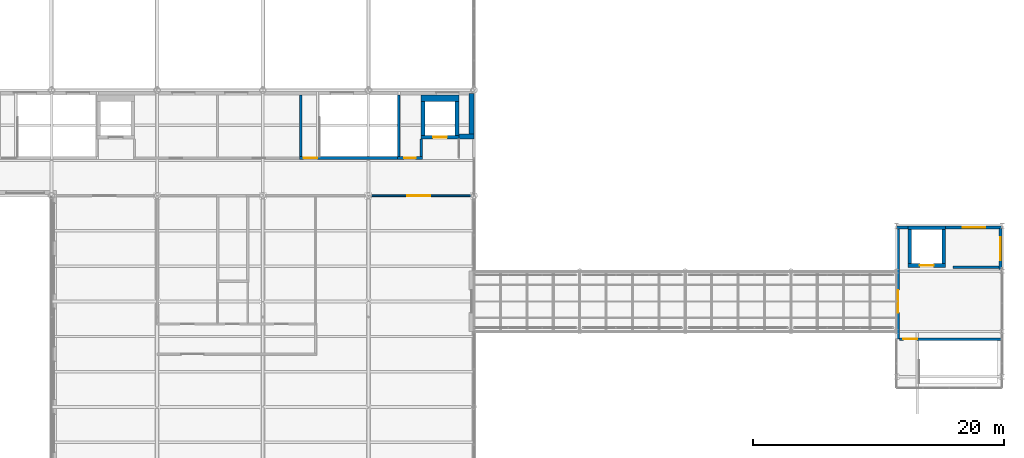
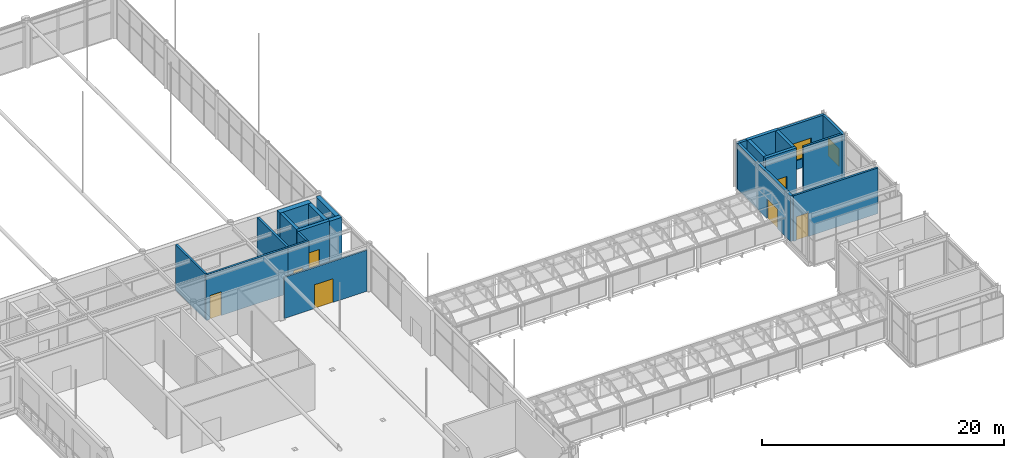
# One storey, part 153 of 167: 22 walls, 7 doors, 2 windows, 9 openings.
"""IFC4 building model written with IfcOpenShell, lengths in metres."""

from ifc_helpers import new_model, si_unit, direction, frame, frame_2d, origin, place, context, subcontext, project, spatial, rectangle, extrude, material, layer, layer_set, type_object, element, fill, save


model = new_model("IFC4")

# Units and contexts
model_context = context("Model", 3, precision=1e-05, world=origin(), true_north=direction((0.0, 1.0)))
body_context = subcontext(model_context, "Body", "Model", "MODEL_VIEW")
ifc_project = project(units=[si_unit("LENGTHUNIT", "METRE"), si_unit("AREAUNIT", "SQUARE_METRE"), si_unit("VOLUMEUNIT", "CUBIC_METRE"), si_unit("PLANEANGLEUNIT", "RADIAN"), si_unit("MASSUNIT", "GRAM", prefix="KILO")], contexts=[model_context])

# Site, building, storey
site_placement = place(None, origin())
site = spatial("IfcSite", under=ifc_project, at=site_placement, CompositionType="ELEMENT")
building_placement = place(site_placement, origin())
building = spatial("IfcBuilding", under=site, at=building_placement, Name="Catenary Quay Ferry Terminal", CompositionType="ELEMENT")
storey_placement = place(building_placement, frame((0.0, 0.0, 6.0)))
storey = spatial("IfcBuildingStorey", under=building, at=storey_placement, Name="L01", CompositionType="ELEMENT", Elevation=6.0)

# Wall, opening, door
ifc_material_1 = material(Name="Masonry and insulation", Category="masonry")
ifc_layer_1 = layer(ifc_material_1, 0.25)
ifc_layer_set_1 = layer_set([ifc_layer_1], Name="EW12")
wall_type_1 = type_object("IfcWallType", Name="EW12", PredefinedType="SOLIDWALL", material=ifc_layer_set_1)
wall_1_placement = place(storey_placement, frame((126.125, 89.39990234375, 0.0), z_axis=(0.0, 0.0, 1.0), x_axis=(0.0, 1.0, 0.0)))
wall_1 = element("IfcWall", 1, at=wall_1_placement, inside=storey, type_object=wall_type_1, Name="P28 wall WL183", PredefinedType="SOLIDWALL", context=body_context, shape_type="SweptSolid", body=[
    extrude(rectangle(XDim=8.80517578125, YDim=0.25, at=frame_2d((4.402587890625, 0.0))), origin(), (0.0, 0.0, 1.0), 4.60009765625),
])
opening_1_placement = place(wall_1_placement, frame((2.10009765625, 0.0, 0.0)))
opening_1 = element("IfcOpeningElement", 2, at=opening_1_placement, cuts=wall_1, Name="Opening D123", PredefinedType="OPENING", context=body_context, shape_type="SweptSolid", body=[
    extrude(rectangle(XDim=1.800048828125, YDim=2.0, at=frame_2d((0.89990234375, 1.0))), frame((0.0, 0.135009765625, 0.0), z_axis=(0.0, -1.0, 0.0), x_axis=(1.0, 0.0, 0.0)), (0.0, 0.0, 1.0), 0.27001953125),
])
ifc_material_2 = material(Name="Aluminium and glass", Category="aluminium")
door_type_1 = type_object("IfcDoorType", Name="DI11", OperationType="DOUBLE_DOOR_SINGLE_SWING", PredefinedType="DOOR", material=ifc_material_2)
door_1_placement = place(opening_1_placement, frame((1.800048828125, 0.0, 0.0), z_axis=(0.0, 0.0, 1.0), x_axis=(-1.0, 0.0, 0.0)))
door_1 = element("IfcDoor", 3, at=door_1_placement, inside=storey, type_object=door_type_1, Name="Boarding Bridge 2 to Berth 2 Boarding Landing", OperationType="DOUBLE_DOOR_SINGLE_SWING", OverallHeight=2.0, OverallWidth=1.800048828125, PredefinedType="DOOR", context=body_context, shape_type="SweptSolid", body=[
    extrude(rectangle(XDim=1.800048828125, YDim=2.0, at=frame_2d((0.89990234375, 1.0))), frame((0.0, 0.02490234375, 0.0), z_axis=(0.0, -1.0, 0.0), x_axis=(1.0, 0.0, 0.0)), (0.0, 0.0, 1.0), 0.050048828125),
])
fill(opening_1, door_1)

# Walls
ifc_material_3 = material(Name="Masonry and insulation", Category="masonry")
ifc_layer_2 = layer(ifc_material_3, 0.39990234375)
ifc_layer_set_2 = layer_set([ifc_layer_2], Name="EW2")
wall_type_2 = type_object("IfcWallType", Name="EW2", PredefinedType="SOLIDWALL", material=ifc_layer_set_2)
wall_2_placement = place(storey_placement, frame((91.199951171875, 105.5, 0.0), z_axis=(0.0, 0.0, 1.0), x_axis=(1.0, 0.0, 0.0)))
element("IfcWall", 4, at=wall_2_placement, inside=storey, type_object=wall_type_2, Name="P22 wall WL177", PredefinedType="SOLIDWALL", context=body_context, shape_type="SweptSolid", body=[
    extrude(rectangle(XDim=1.199951171875, YDim=0.39990234375, at=frame_2d((0.60009765625, 0.0))), origin(), (0.0, 0.0, 1.0), 4.60009765625),
])
wall_3_placement = place(storey_placement, frame((92.199951171875, 105.699951171875, 0.0), z_axis=(0.0, 0.0, 1.0), x_axis=(0.0, 1.0, 0.0)))
element("IfcWall", 5, at=wall_3_placement, inside=storey, type_object=wall_type_2, Name="P29 wall WL184", PredefinedType="SOLIDWALL", context=body_context, shape_type="SweptSolid", body=[
    extrude(rectangle(XDim=3.24609375, YDim=0.39990234375, at=frame_2d((1.623046875, 0.0))), origin(), (0.0, 0.0, 1.0), 4.60009765625),
])
ifc_material_4 = material(Name="Masonry and insulation", Category="masonry")
ifc_layer_3 = layer(ifc_material_4, 0.25)
ifc_layer_set_3 = layer_set([ifc_layer_3], Name="EW4")
wall_type_3 = type_object("IfcWallType", Name="EW4", PredefinedType="SOLIDWALL", material=ifc_layer_set_3)
wall_4_placement = place(storey_placement, frame((126.0, 98.27490234375, 0.0), z_axis=(0.0, 0.0, 1.0), x_axis=(1.0, 0.0, 0.0)))
element("IfcWall", 6, at=wall_4_placement, inside=storey, type_object=wall_type_3, Name="P20 wall WL175", PredefinedType="SOLIDWALL", context=body_context, shape_type="SweptSolid", body=[
    extrude(rectangle(XDim=0.89990234375, YDim=0.25, at=frame_2d((0.449951171875, 0.0))), origin(), (0.0, 0.0, 1.0), 4.60009765625),
])

# Wall, opening, window
wall_5_placement = place(storey_placement, frame((129.89990234375, 98.27490234375, 0.0), z_axis=(0.0, 0.0, 1.0), x_axis=(1.0, 0.0, 0.0)))
wall_5 = element("IfcWall", 7, at=wall_5_placement, inside=storey, type_object=wall_type_3, Name="P21 wall WL176", PredefinedType="SOLIDWALL", context=body_context, shape_type="SweptSolid", body=[
    extrude(rectangle(XDim=4.5, YDim=0.25, at=frame_2d((2.25, 0.0))), origin(), (0.0, 0.0, 1.0), 4.60009765625),
])
opening_2_placement = place(wall_5_placement, frame((1.35009765625, 0.0, 0.89990234375)))
opening_2 = element("IfcOpeningElement", 8, at=opening_2_placement, cuts=wall_5, Name="Opening W10", PredefinedType="OPENING", context=body_context, shape_type="SweptSolid", body=[
    extrude(rectangle(XDim=1.800048828125, YDim=1.800048828125, at=frame_2d((0.89990234375, 0.89990234375))), frame((0.0, 0.135009765625, 0.0), z_axis=(0.0, -1.0, 0.0), x_axis=(1.0, 0.0, 0.0)), (0.0, 0.0, 1.0), 0.27001953125),
])
ifc_material_5 = material(Name="Aluminium and glass", Category="aluminium")
window_type = type_object("IfcWindowType", Name="WH1", PartitioningType="SINGLE_PANEL", PredefinedType="WINDOW", material=ifc_material_5)
window_1_placement = place(opening_2_placement, origin())
window_1 = element("IfcWindow", 9, at=window_1_placement, inside=storey, type_object=window_type, Name="P21 window W10", OverallHeight=1.800048828125, OverallWidth=1.800048828125, PartitioningType="SINGLE_PANEL", PredefinedType="WINDOW", context=body_context, shape_type="SweptSolid", body=[
    extrude(rectangle(XDim=1.800048828125, YDim=1.800048828125, at=frame_2d((0.89990234375, 0.89990234375))), frame((0.0, 0.030029296875, 0.0), z_axis=(0.0, -1.0, 0.0), x_axis=(1.0, 0.0, 0.0)), (0.0, 0.0, 1.0), 0.06005859375),
])
fill(opening_2, window_1)

wall_6_placement = place(storey_placement, frame((134.27490234375, 94.949951171875, 0.0), z_axis=(0.0, 0.0, 1.0), x_axis=(0.0, 1.0, 0.0)))
wall_6 = element("IfcWall", 10, at=wall_6_placement, inside=storey, type_object=wall_type_3, Name="P27 wall WL182", PredefinedType="SOLIDWALL", context=body_context, shape_type="SweptSolid", body=[
    extrude(rectangle(XDim=3.255126953125, YDim=0.25, at=frame_2d((1.62744140625, 0.0))), origin(), (0.0, 0.0, 1.0), 4.60009765625),
])
opening_3_placement = place(wall_6_placement, frame((0.7275390625, 0.0, 0.89990234375)))
opening_3 = element("IfcOpeningElement", 11, at=opening_3_placement, cuts=wall_6, Name="Opening W31", PredefinedType="OPENING", context=body_context, shape_type="SweptSolid", body=[
    extrude(rectangle(XDim=1.800048828125, YDim=1.800048828125, at=frame_2d((0.89990234375, 0.89990234375))), frame((0.0, 0.135009765625, 0.0), z_axis=(0.0, -1.0, 0.0), x_axis=(1.0, 0.0, 0.0)), (0.0, 0.0, 1.0), 0.27001953125),
])
window_2_placement = place(opening_3_placement, origin())
window_2 = element("IfcWindow", 12, at=window_2_placement, inside=storey, type_object=window_type, Name="P27 window W31", OverallHeight=1.800048828125, OverallWidth=1.800048828125, PartitioningType="SINGLE_PANEL", PredefinedType="WINDOW", context=body_context, shape_type="SweptSolid", body=[
    extrude(rectangle(XDim=1.800048828125, YDim=1.800048828125, at=frame_2d((0.89990234375, 0.89990234375))), frame((0.0, 0.030029296875, 0.0), z_axis=(0.0, -1.0, 0.0), x_axis=(1.0, 0.0, 0.0)), (0.0, 0.0, 1.0), 0.06005859375),
])
fill(opening_3, window_2)

# Wall, opening, door
ifc_material_6 = material(Name="Plasterboard on steel studs", Category="steel")
ifc_layer_4 = layer(ifc_material_6, 0.14990234375)
ifc_layer_set_4 = layer_set([ifc_layer_4], Name="IP3")
wall_type_4 = type_object("IfcWallType", Name="IP3", PredefinedType="PARTITIONING", material=ifc_layer_set_4)
wall_7_placement = place(storey_placement, frame((84.25390625, 100.800048828125, 0.0), z_axis=(0.0, 0.0, 1.0), x_axis=(1.0, 0.0, 0.0)))
wall_7 = element("IfcWall", 13, at=wall_7_placement, inside=storey, type_object=wall_type_4, Name="Partition L01 17", PredefinedType="PARTITIONING", context=body_context, shape_type="SweptSolid", body=[
    extrude(rectangle(XDim=7.89208984375, YDim=0.14990234375, at=frame_2d((3.946044921875, 0.0))), origin(), (0.0, 0.0, 1.0), 4.146240234375),
])
opening_4_placement = place(wall_7_placement, frame((2.845947265625, 0.0, 0.0)))
opening_4 = element("IfcOpeningElement", 14, at=opening_4_placement, cuts=wall_7, Name="Opening D117", PredefinedType="OPENING", context=body_context, shape_type="SweptSolid", body=[
    extrude(rectangle(XDim=1.800048828125, YDim=2.39990234375, at=frame_2d((0.89990234375, 1.199951171875))), frame((0.0, 0.0849609375, 0.0), z_axis=(0.0, -1.0, 0.0), x_axis=(1.0, 0.0, 0.0)), (0.0, 0.0, 1.0), 0.169921875),
])
ifc_material_7 = material(Name="Aluminium and glass", Category="aluminium")
door_type_2 = type_object("IfcDoorType", Name="DI6", OperationType="DOUBLE_DOOR_SINGLE_SWING", PredefinedType="DOOR", material=ifc_material_7)
door_2_placement = place(opening_4_placement, origin())
door_2 = element("IfcDoor", 15, at=door_2_placement, inside=storey, type_object=door_type_2, Name="Operations Corridor to Boarding Concourse", OperationType="DOUBLE_DOOR_SINGLE_SWING", OverallHeight=2.39990234375, OverallWidth=1.800048828125, PredefinedType="DOOR", context=body_context, shape_type="SweptSolid", body=[
    extrude(rectangle(XDim=1.800048828125, YDim=2.39990234375, at=frame_2d((0.89990234375, 1.199951171875))), frame((0.0, 0.02490234375, 0.0), z_axis=(0.0, -1.0, 0.0), x_axis=(1.0, 0.0, 0.0)), (0.0, 0.0, 1.0), 0.050048828125),
])
fill(opening_4, door_2)

ifc_material_8 = material(Name="Blockwork and plaster", Category="masonry")
ifc_layer_5 = layer(ifc_material_8, 0.199951171875)
ifc_layer_set_5 = layer_set([ifc_layer_5], Name="IP4")
wall_type_5 = type_object("IfcWallType", Name="IP4", PredefinedType="PARTITIONING", material=ifc_layer_set_5)
wall_8_placement = place(storey_placement, frame((126.25, 89.39990234375, 0.0), z_axis=(0.0, 0.0, 1.0), x_axis=(1.0, 0.0, 0.0)))
wall_8 = element("IfcWall", 16, at=wall_8_placement, inside=storey, type_object=wall_type_5, Name="Partition L01 8", PredefinedType="PARTITIONING", context=body_context, shape_type="SweptSolid", body=[
    extrude(rectangle(XDim=8.074951171875, YDim=0.199951171875, at=frame_2d((4.03759765625, 0.0))), origin(), (0.0, 0.0, 1.0), 4.60009765625),
])
opening_5_placement = place(wall_8_placement, frame((0.300048828125, 0.0, 0.0)))
opening_5 = element("IfcOpeningElement", 17, at=opening_5_placement, cuts=wall_8, Name="Opening D124", PredefinedType="OPENING", context=body_context, shape_type="SweptSolid", body=[
    extrude(rectangle(XDim=1.10009765625, YDim=2.39990234375, at=frame_2d((0.550048828125, 1.199951171875))), frame((0.0, 0.10986328125, 0.0), z_axis=(0.0, -1.0, 0.0), x_axis=(1.0, 0.0, 0.0)), (0.0, 0.0, 1.0), 0.219970703125),
])
ifc_material_9 = material(Name="Steel", Category="steel")
door_type_3 = type_object("IfcDoorType", Name="DI4", OperationType="SINGLE_SWING_LEFT", PredefinedType="DOOR", material=ifc_material_9)
door_3_placement = place(opening_5_placement, frame((1.10009765625, 0.0, 0.0), z_axis=(0.0, 0.0, 1.0), x_axis=(-1.0, 0.0, 0.0)))
door_3 = element("IfcDoor", 18, at=door_3_placement, inside=storey, type_object=door_type_3, Name="Stair HB2 to Berth 2 Boarding Landing", OperationType="SINGLE_SWING_RIGHT", OverallHeight=2.39990234375, OverallWidth=1.10009765625, PredefinedType="DOOR", context=body_context, shape_type="SweptSolid", body=[
    extrude(rectangle(XDim=1.10009765625, YDim=2.39990234375, at=frame_2d((0.550048828125, 1.199951171875))), frame((0.0, 0.02490234375, 0.0), z_axis=(0.0, -1.0, 0.0), x_axis=(1.0, 0.0, 0.0)), (0.0, 0.0, 1.0), 0.050048828125),
])
fill(opening_5, door_3)

wall_9_placement = place(storey_placement, frame((78.5, 103.800048828125, 0.0), z_axis=(0.0, 0.0, 1.0), x_axis=(1.0, 0.0, 0.0)))
wall_9 = element("IfcWall", 19, at=wall_9_placement, inside=storey, type_object=wall_type_5, Name="Partition L01 23", PredefinedType="PARTITIONING", context=body_context, shape_type="SweptSolid", body=[
    extrude(rectangle(XDim=8.0, YDim=0.199951171875, at=frame_2d((4.0, 0.0))), origin(), (0.0, 0.0, 1.0), 4.60009765625),
])
opening_6_placement = place(wall_9_placement, frame((0.35009765625, 0.0, 0.0)))
opening_6 = element("IfcOpeningElement", 20, at=opening_6_placement, cuts=wall_9, Name="Opening D110", PredefinedType="OPENING", context=body_context, shape_type="SweptSolid", body=[
    extrude(rectangle(XDim=1.10009765625, YDim=2.39990234375, at=frame_2d((0.550048828125, 1.199951171875))), frame((0.0, 0.10986328125, 0.0), z_axis=(0.0, -1.0, 0.0), x_axis=(1.0, 0.0, 0.0)), (0.0, 0.0, 1.0), 0.219970703125),
])
door_4_placement = place(opening_6_placement, origin())
door_4 = element("IfcDoor", 21, at=door_4_placement, inside=storey, type_object=door_type_3, Name="Stair TS3 to Operations Corridor", OperationType="SINGLE_SWING_LEFT", OverallHeight=2.39990234375, OverallWidth=1.10009765625, PredefinedType="DOOR", context=body_context, shape_type="SweptSolid", body=[
    extrude(rectangle(XDim=1.10009765625, YDim=2.39990234375, at=frame_2d((0.550048828125, 1.199951171875))), frame((0.0, 0.02490234375, 0.0), z_axis=(0.0, -1.0, 0.0), x_axis=(1.0, 0.0, 0.0)), (0.0, 0.0, 1.0), 0.050048828125),
])
fill(opening_6, door_4)

# Walls
for number, where, z_axis, x_axis, name in (
    (22, (78.60009765625, 103.89990234375, 0.0), (0.0, 0.0, 1.0), (0.0, 1.0, 0.0), "Partition L01 90"),
    (23, (86.39990234375, 103.89990234375, 0.0), (0.0, 0.0, 1.0), (0.0, 1.0, 0.0), "Partition L01 94"),
):
    element("IfcWall", number, at=place(storey_placement, frame(where, z_axis=z_axis, x_axis=x_axis)), inside=storey, type_object=wall_type_5, Name=name, PredefinedType="PARTITIONING", context=body_context, shape_type="SweptSolid", body=[
        extrude(rectangle(XDim=4.900146484375, YDim=0.199951171875, at=frame_2d((2.4501953125, 0.0))), origin(), (0.0, 0.0, 1.0), 4.60009765625),
    ])
ifc_material_10 = material(Name="Blockwork and plaster", Category="masonry")
ifc_layer_6 = layer(ifc_material_10, 0.199951171875)
ifc_layer_set_6 = layer_set([ifc_layer_6], Name="IP6")
wall_type_6 = type_object("IfcWallType", Name="IP6", PredefinedType="PARTITIONING", material=ifc_layer_set_6)
wall_10_placement = place(storey_placement, frame((130.5, 95.10009765625, 0.0), z_axis=(0.0, 0.0, 1.0), x_axis=(1.0, 0.0, 0.0)))
element("IfcWall", 24, at=wall_10_placement, inside=storey, type_object=wall_type_6, Name="Partition L01 11", PredefinedType="PARTITIONING", context=body_context, shape_type="SweptSolid", body=[
    extrude(rectangle(XDim=3.64990234375, YDim=0.199951171875, at=frame_2d((1.824951171875, 0.0))), origin(), (0.0, 0.0, 1.0), 4.60009765625),
])

# Wall, opening, door
wall_11_placement = place(storey_placement, frame((86.300048828125, 103.800048828125, 0.0), z_axis=(0.0, 0.0, 1.0), x_axis=(1.0, 0.0, 0.0)))
wall_11 = element("IfcWall", 25, at=wall_11_placement, inside=storey, type_object=wall_type_6, Name="Partition L01 24", PredefinedType="PARTITIONING", context=body_context, shape_type="SweptSolid", body=[
    extrude(rectangle(XDim=2.0, YDim=0.199951171875, at=frame_2d((1.0, 0.0))), origin(), (0.0, 0.0, 1.0), 4.60009765625),
])
opening_7_placement = place(wall_11_placement, frame((0.550048828125, 0.0, 0.0)))
opening_7 = element("IfcOpeningElement", 26, at=opening_7_placement, cuts=wall_11, Name="Opening D111", PredefinedType="OPENING", context=body_context, shape_type="SweptSolid", body=[
    extrude(rectangle(XDim=0.89990234375, YDim=2.10009765625, at=frame_2d((0.449951171875, 1.050048828125))), frame((0.0, 0.10986328125, 0.0), z_axis=(0.0, -1.0, 0.0), x_axis=(1.0, 0.0, 0.0)), (0.0, 0.0, 1.0), 0.219970703125),
])
ifc_material_11 = material(Name="Steel", Category="steel")
door_type_4 = type_object("IfcDoorType", Name="DI9", OperationType="SINGLE_SWING_LEFT", PredefinedType="DOOR", material=ifc_material_11)
door_5_placement = place(opening_7_placement, origin())
door_5 = element("IfcDoor", 27, at=door_5_placement, inside=storey, type_object=door_type_4, Name="Terminal Electrical Room to Operations Corridor", OperationType="SINGLE_SWING_LEFT", OverallHeight=2.10009765625, OverallWidth=0.89990234375, PredefinedType="DOOR", context=body_context, shape_type="SweptSolid", body=[
    extrude(rectangle(XDim=0.89990234375, YDim=2.10009765625, at=frame_2d((0.449951171875, 1.050048828125))), frame((0.0, 0.02490234375, 0.0), z_axis=(0.0, -1.0, 0.0), x_axis=(1.0, 0.0, 0.0)), (0.0, 0.0, 1.0), 0.050048828125),
])
fill(opening_7, door_5)

# Wall
wall_12_placement = place(storey_placement, frame((88.199951171875, 103.89990234375, 0.0), z_axis=(0.0, 0.0, 1.0), x_axis=(0.0, 1.0, 0.0)))
element("IfcWall", 28, at=wall_12_placement, inside=storey, type_object=wall_type_6, Name="Partition L01 95", PredefinedType="PARTITIONING", context=body_context, shape_type="SweptSolid", body=[
    extrude(rectangle(XDim=1.400146484375, YDim=0.199951171875, at=frame_2d((0.7001953125, 0.0))), origin(), (0.0, 0.0, 1.0), 4.60009765625),
])

# Wall, opening, door
ifc_material_12 = material(Name="Concrete C50/60", Category="concrete")
ifc_layer_7 = layer(ifc_material_12, 0.300048828125)
ifc_layer_set_7 = layer_set([ifc_layer_7], Name="Shaft wall 300")
wall_type_7 = type_object("IfcWallType", Name="Shaft wall 300", PredefinedType="SHEAR", material=ifc_layer_set_7)
wall_13_placement = place(storey_placement, frame((88.199951171875, 105.449951171875, 0.0), z_axis=(0.0, 0.0, 1.0), x_axis=(1.0, 0.0, 0.0)))
wall_13 = element("IfcWall", 29, at=wall_13_placement, inside=storey, type_object=wall_type_7, Name="Shaft wall TL3 S", PredefinedType="SHEAR", context=body_context, shape_type="SweptSolid", body=[
    extrude(rectangle(XDim=3.0, YDim=0.300048828125, at=frame_2d((1.5, 0.0))), origin(), (0.0, 0.0, 1.0), 4.64990234375),
])
opening_8_placement = place(wall_13_placement, frame((0.949951171875, 0.0, 0.0)))
opening_8 = element("IfcOpeningElement", 30, at=opening_8_placement, cuts=wall_13, Name="Opening LD40", PredefinedType="OPENING", context=body_context, shape_type="SweptSolid", body=[
    extrude(rectangle(XDim=1.10009765625, YDim=2.10009765625, at=frame_2d((0.550048828125, 1.050048828125))), frame((0.0, 0.159912109375, 0.0), z_axis=(0.0, -1.0, 0.0), x_axis=(1.0, 0.0, 0.0)), (0.0, 0.0, 1.0), 0.320068359375),
])
ifc_material_13 = material(Name="Stainless steel", Category="steel")
door_type_5 = type_object("IfcDoorType", Name="DL1", OperationType="SLIDING_TO_LEFT", PredefinedType="DOOR", material=ifc_material_13)
door_6_placement = place(opening_8_placement, origin())
door_6 = element("IfcDoor", 31, at=door_6_placement, inside=storey, type_object=door_type_5, Name="Lift TL3 landing door L01", OperationType="SLIDING_TO_LEFT", OverallHeight=2.10009765625, OverallWidth=1.10009765625, PredefinedType="DOOR", context=body_context, shape_type="SweptSolid", body=[
    extrude(rectangle(XDim=1.10009765625, YDim=2.10009765625, at=frame_2d((0.550048828125, 1.050048828125))), frame((0.0, 0.02490234375, 0.0), z_axis=(0.0, -1.0, 0.0), x_axis=(1.0, 0.0, 0.0)), (0.0, 0.0, 1.0), 0.050048828125),
])
fill(opening_8, door_6)

# Walls
for number, where, z_axis, x_axis, name in (
    (32, (91.050048828125, 105.60009765625, 0.0), (0.0, 0.0, 1.0), (0.0, 1.0, 0.0), "Shaft wall TL3 E"),
    (33, (88.35009765625, 105.60009765625, 0.0), (0.0, 0.0, 1.0), (0.0, 1.0, 0.0), "Shaft wall TL3 W"),
):
    element("IfcWall", number, at=place(storey_placement, frame(where, z_axis=z_axis, x_axis=x_axis)), inside=storey, type_object=wall_type_7, Name=name, PredefinedType="SHEAR", context=body_context, shape_type="SweptSolid", body=[
        extrude(rectangle(XDim=2.699951171875, YDim=0.300048828125, at=frame_2d((1.35009765625, 0.0))), origin(), (0.0, 0.0, 1.0), 4.64990234375),
    ])

# Wall, opening, door
wall_14_placement = place(storey_placement, frame((126.89990234375, 95.25, 0.0), z_axis=(0.0, 0.0, 1.0), x_axis=(1.0, 0.0, 0.0)))
wall_14 = element("IfcWall", 34, at=wall_14_placement, inside=storey, type_object=wall_type_7, Name="Shaft wall BL2 S", PredefinedType="SHEAR", context=body_context, shape_type="SweptSolid", body=[
    extrude(rectangle(XDim=3.0, YDim=0.300048828125, at=frame_2d((1.5, 0.0))), origin(), (0.0, 0.0, 1.0), 4.64990234375),
])
opening_9_placement = place(wall_14_placement, frame((0.949951171875, 0.0, 0.0)))
opening_9 = element("IfcOpeningElement", 35, at=opening_9_placement, cuts=wall_14, Name="Opening LD4", PredefinedType="OPENING", context=body_context, shape_type="SweptSolid", body=[
    extrude(rectangle(XDim=1.10009765625, YDim=2.10009765625, at=frame_2d((0.550048828125, 1.050048828125))), frame((0.0, 0.159912109375, 0.0), z_axis=(0.0, -1.0, 0.0), x_axis=(1.0, 0.0, 0.0)), (0.0, 0.0, 1.0), 0.320068359375),
])
door_7_placement = place(opening_9_placement, origin())
door_7 = element("IfcDoor", 36, at=door_7_placement, inside=storey, type_object=door_type_5, Name="Lift BL2 landing door L01", OperationType="SLIDING_TO_LEFT", OverallHeight=2.10009765625, OverallWidth=1.10009765625, PredefinedType="DOOR", context=body_context, shape_type="SweptSolid", body=[
    extrude(rectangle(XDim=1.10009765625, YDim=2.10009765625, at=frame_2d((0.550048828125, 1.050048828125))), frame((0.0, 0.02490234375, 0.0), z_axis=(0.0, -1.0, 0.0), x_axis=(1.0, 0.0, 0.0)), (0.0, 0.0, 1.0), 0.050048828125),
])
fill(opening_9, door_7)

# Walls
for number, where, z_axis, x_axis, name in (
    (37, (129.75, 95.39990234375, 0.0), (0.0, 0.0, 1.0), (0.0, 1.0, 0.0), "Shaft wall BL2 E"),
    (38, (127.050048828125, 95.39990234375, 0.0), (0.0, 0.0, 1.0), (0.0, 1.0, 0.0), "Shaft wall BL2 W"),
):
    element("IfcWall", number, at=place(storey_placement, frame(where, z_axis=z_axis, x_axis=x_axis)), inside=storey, type_object=wall_type_7, Name=name, PredefinedType="SHEAR", context=body_context, shape_type="SweptSolid", body=[
        extrude(rectangle(XDim=2.7001953125, YDim=0.300048828125, at=frame_2d((1.35009765625, 0.0))), origin(), (0.0, 0.0, 1.0), 4.64990234375),
    ])
wall_15_placement = place(storey_placement, frame((126.89990234375, 98.25, 0.0), z_axis=(0.0, 0.0, 1.0), x_axis=(1.0, 0.0, 0.0)))
element("IfcWall", 39, at=wall_15_placement, inside=storey, type_object=wall_type_7, Name="Shaft wall BL2 N", PredefinedType="SHEAR", context=body_context, shape_type="SweptSolid", body=[
    extrude(rectangle(XDim=3.0, YDim=0.300048828125, at=frame_2d((1.5, 0.0))), origin(), (0.0, 0.0, 1.0), 4.64990234375),
])
ifc_material_14 = material(Name="Concrete C50/60", Category="concrete")
ifc_layer_8 = layer(ifc_material_14, 0.5)
ifc_layer_set_8 = layer_set([ifc_layer_8], Name="Shaft wall 500")
wall_type_8 = type_object("IfcWallType", Name="Shaft wall 500", PredefinedType="SHEAR", material=ifc_layer_set_8)
wall_16_placement = place(storey_placement, frame((88.199951171875, 108.550048828125, 0.0), z_axis=(0.0, 0.0, 1.0), x_axis=(1.0, 0.0, 0.0)))
element("IfcWall", 40, at=wall_16_placement, inside=storey, type_object=wall_type_8, Name="Shaft wall TL3 N", PredefinedType="SHEAR", context=body_context, shape_type="SweptSolid", body=[
    extrude(rectangle(XDim=3.0, YDim=0.5, at=frame_2d((1.5, 0.0))), origin(), (0.0, 0.0, 1.0), 4.64990234375),
])

save(model, "model.ifc")
